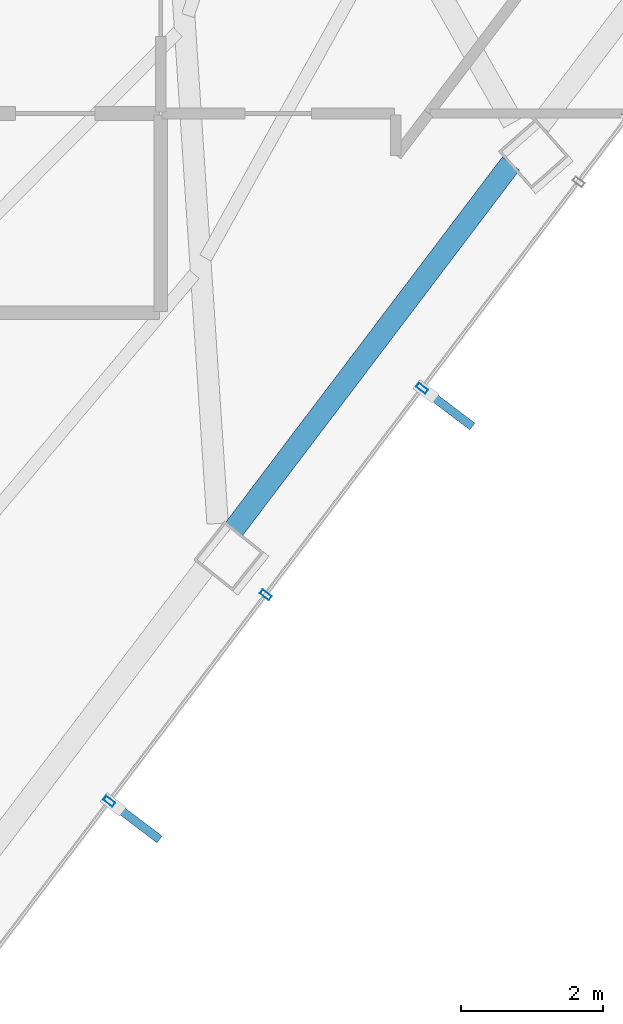
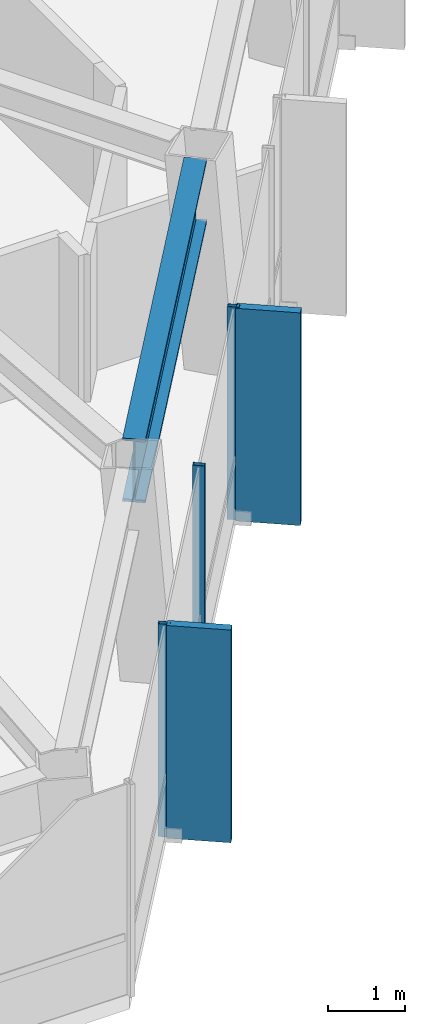
# One storey, part 16 of 28: 5 members, 1 beam, 1 element without a shape of its own.
"""IFC4 building model written with IfcOpenShell, lengths in metres."""

from ifc_helpers import new_model, si_unit, direction, frame, origin, origin_2d, place, context, subcontext, project, spatial, rectangle, hollow_rectangle, i_section, extrude, material, layer, layer_set, material_profile, profile_set, type_object, element, aggregate, save


model = new_model("IFC4")

# Units and contexts
model_context = context("Model", 3, precision=1e-05, world=origin(), true_north=direction((0.0, 1.0)))
body_context = subcontext(model_context, "Body", "Model", "MODEL_VIEW")
ifc_project = project(units=[si_unit("LENGTHUNIT", "METRE"), si_unit("AREAUNIT", "SQUARE_METRE"), si_unit("VOLUMEUNIT", "CUBIC_METRE"), si_unit("PLANEANGLEUNIT", "RADIAN"), si_unit("MASSUNIT", "GRAM", prefix="KILO")], contexts=[model_context])

# Site, building, storey
site_placement = place(None, origin())
site = spatial("IfcSite", under=ifc_project, at=site_placement, CompositionType="ELEMENT")
building_placement = place(site_placement, origin())
building = spatial("IfcBuilding", under=site, at=building_placement, Name="Zarrinselat Tower", CompositionType="ELEMENT")
storey_placement = place(building_placement, frame((0.0, 0.0, 190.739990234375)))
storey = spatial("IfcBuildingStorey", under=building, at=storey_placement, Name="L47", CompositionType="ELEMENT", Elevation=190.739990234375)

# Beam
ifc_material_1 = material(Name="Steel S460M", Category="steel")
ifc_material_profile_1 = material_profile(ifc_material_1, i_section(OverallWidth=0.302001953125, OverallDepth=1.008056640625, WebThickness=0.02099609375, FlangeThickness=0.0400390625, at=origin_2d()), Name="HEM 1000")
ifc_profile_set_1 = profile_set([ifc_material_profile_1], Name="Steel S460M")
beam_type = type_object("IfcBeamType", Name="BM-HEM1000", PredefinedType="BEAM", material=ifc_profile_set_1)
beam_placement = place(storey_placement, frame((49.37646484375, 24.309814453125, 2.885986328125), z_axis=(0.603830695298, 0.797112596448, 0.0), x_axis=(-0.797112596448, 0.603830695298, 0.0)))
element("IfcBeam", 1, at=beam_placement, inside=storey, type_object=beam_type, Name="L47 Perimeter Spandrel Girder SP12", PredefinedType="BEAM", context=body_context, shape_type="SweptSolid", body=[
    extrude(i_section(OverallWidth=0.302001953125, OverallDepth=1.008056640625, WebThickness=0.02099609375, FlangeThickness=0.0400390625, at=origin_2d()), origin(), (0.0, 0.0, 1.0), 6.443359375),
])

# Curtain wall, members
ifc_material_2 = material(Name="Extruded Aluminium Alloy EN AW-6063 T6", Category="aluminium")
ifc_layer = layer(ifc_material_2, 0.175048828125)
ifc_layer_set = layer_set([ifc_layer], Name="Extruded Aluminium Alloy EN AW-6063 T6")
curtain_wall_type = type_object("IfcCurtainWallType", Name="CWS-HTL", PredefinedType="NOTDEFINED", material=ifc_layer_set)
curtain_wall_placement = place(storey_placement, origin())
curtain_wall = element("IfcCurtainWall", 2, at=curtain_wall_placement, inside=storey, type_object=curtain_wall_type, Name="L47 Unitised Curtain Wall CW-L47-E05", PredefinedType="NOTDEFINED")
ifc_material_3 = material(Name="Extruded Aluminium Alloy EN AW-6063 T6", Category="aluminium")
ifc_material_profile_2 = material_profile(ifc_material_3, hollow_rectangle(XDim=0.070068359375, YDim=0.159912109375, WallThickness=0.00390625, at=origin_2d()), Name="RHS 160x70x4")
ifc_profile_set_2 = profile_set([ifc_material_profile_2], Name="Extruded Aluminium Alloy EN AW-6063 T6")
member_type_1 = type_object("IfcMemberType", Name="MEM-CW-MUL2", PredefinedType="MULLION", material=ifc_profile_set_2)
member_1_placement = place(storey_placement, frame((47.62744140625, 20.4892578125, 0.0), z_axis=(0.0, 0.0, 1.0), x_axis=(0.603856629551, 0.797092950005, 0.0)))
member_1 = element("IfcMember", 3, at=member_1_placement, type_object=member_type_1, Name="CW-L47-E05 Mullion 1", PredefinedType="MULLION", context=body_context, shape_type="SweptSolid", body=[
    extrude(hollow_rectangle(XDim=0.070068359375, YDim=0.159912109375, WallThickness=0.00390625, at=origin_2d()), origin(), (0.0, 0.0, 1.0), 3.389892578125),
])
member_2_placement = place(storey_placement, frame((49.82421875, 23.388916015625, 0.0), z_axis=(0.0, 0.0, 1.0), x_axis=(0.603856629551, 0.797092950005, 0.0)))
member_2 = element("IfcMember", 4, at=member_2_placement, type_object=member_type_1, Name="CW-L47-E05 Mullion 2", PredefinedType="MULLION", context=body_context, shape_type="SweptSolid", body=[
    extrude(hollow_rectangle(XDim=0.070068359375, YDim=0.159912109375, WallThickness=0.00390625, at=origin_2d()), origin(), (0.0, 0.0, 1.0), 3.389892578125),
])
member_3_placement = place(storey_placement, frame((52.02099609375, 26.288818359375, 0.0), z_axis=(0.0, 0.0, 1.0), x_axis=(0.603856629551, 0.797092950005, 0.0)))
member_3 = element("IfcMember", 5, at=member_3_placement, type_object=member_type_1, Name="CW-L47-E05 Mullion 3", PredefinedType="MULLION", context=body_context, shape_type="SweptSolid", body=[
    extrude(hollow_rectangle(XDim=0.070068359375, YDim=0.159912109375, WallThickness=0.00390625, at=origin_2d()), origin(), (0.0, 0.0, 1.0), 3.389892578125),
])
ifc_material_4 = material(Name="Honed Cream Travertine Stone", Category="masonry")
ifc_material_profile_3 = material_profile(ifc_material_4, rectangle(XDim=0.1201171875, YDim=0.85009765625, at=origin_2d()), Name="FIN 850x120")
ifc_profile_set_3 = profile_set([ifc_material_profile_3], Name="Honed Cream Travertine Stone")
member_type_2 = type_object("IfcMemberType", Name="MEM-STONE-FIN", PredefinedType="USERDEFINED", material=ifc_profile_set_3)
member_4_placement = place(storey_placement, frame((47.994140625, 20.21142578125, 0.0), z_axis=(0.0, 0.0, 1.0), x_axis=(-0.603856629551, -0.797092950005, 0.0)))
member_4 = element("IfcMember", 6, at=member_4_placement, type_object=member_type_2, Name="L47 Stone Shading Fin CW-L47-E05-01", ObjectType="FIN", PredefinedType="USERDEFINED", context=body_context, shape_type="SweptSolid", body=[
    extrude(rectangle(XDim=0.1201171875, YDim=0.85009765625, at=origin_2d()), origin(), (0.0, 0.0, 1.0), 3.389892578125),
])
member_5_placement = place(storey_placement, frame((52.3876953125, 26.010986328125, 0.0), z_axis=(0.0, 0.0, 1.0), x_axis=(-0.603856629551, -0.797092950005, 0.0)))
member_5 = element("IfcMember", 7, at=member_5_placement, type_object=member_type_2, Name="L47 Stone Shading Fin CW-L47-E05-03", ObjectType="FIN", PredefinedType="USERDEFINED", context=body_context, shape_type="SweptSolid", body=[
    extrude(rectangle(XDim=0.1201171875, YDim=0.85009765625, at=origin_2d()), origin(), (0.0, 0.0, 1.0), 3.389892578125),
])
aggregate(curtain_wall, [member_1, member_4, member_2, member_3, member_5])

save(model, "model.ifc")
